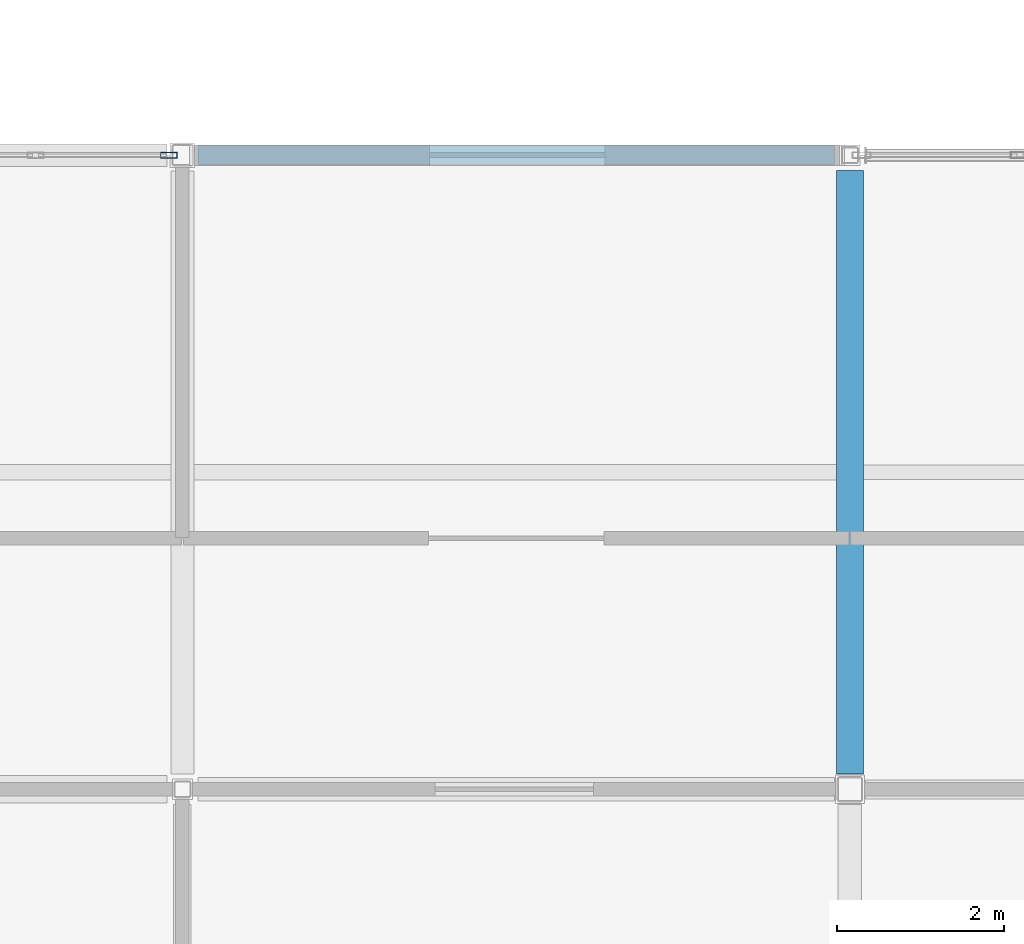
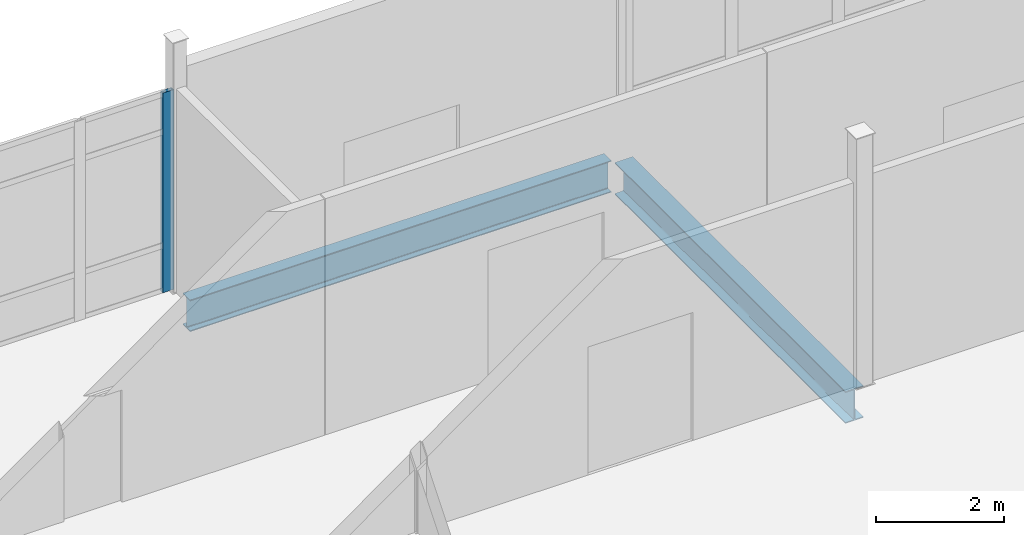
# One storey, part 64 of 186: 2 beams, 1 member, 1 element without a shape of its own.
"""IFC4 building model written with IfcOpenShell, lengths in metres."""

from ifc_helpers import new_model, si_unit, direction, frame, origin, origin_2d, place, context, subcontext, project, spatial, hollow_rectangle, i_section, extrude, material, layer, layer_set, material_profile, profile_set, type_object, element, aggregate, save


model = new_model("IFC4")

# Units and contexts
model_context = context("Model", 3, precision=1e-05, world=origin(), true_north=direction((0.0, 1.0)))
body_context = subcontext(model_context, "Body", "Model", "MODEL_VIEW")
ifc_project = project(units=[si_unit("LENGTHUNIT", "METRE"), si_unit("AREAUNIT", "SQUARE_METRE"), si_unit("VOLUMEUNIT", "CUBIC_METRE"), si_unit("PLANEANGLEUNIT", "RADIAN"), si_unit("MASSUNIT", "GRAM", prefix="KILO")], contexts=[model_context])

# Site, building, storey
site_placement = place(None, origin())
site = spatial("IfcSite", under=ifc_project, at=site_placement, CompositionType="ELEMENT")
building_placement = place(site_placement, origin())
building = spatial("IfcBuilding", under=site, at=building_placement, Name="Calvrana Isthmian Art Gallery", CompositionType="ELEMENT")
storey_placement = place(building_placement, frame((0.0, 0.0, 5.39990234375)))
storey = spatial("IfcBuildingStorey", under=building, at=storey_placement, Name="L01", CompositionType="ELEMENT", Elevation=5.39990234375)

# Beams
ifc_material_1 = material(Name="Steel ASTM A992 Gr 50", Category="steel")
ifc_material_profile_1 = material_profile(ifc_material_1, i_section(OverallWidth=0.324951171875, OverallDepth=0.612060546875, WebThickness=0.0126953125, FlangeThickness=0.01904296875, FilletRadius=0.02197265625, at=origin_2d()), Name="W24X104")
ifc_profile_set_1 = profile_set([ifc_material_profile_1], Name="Steel ASTM A992 Gr 50")
beam_type_1 = type_object("IfcBeamType", Name="BM-G-W24X104", PredefinedType="BEAM", material=ifc_profile_set_1)
beam_1_placement = place(storey_placement, frame((88.39990234375, 54.58154296875, -0.55078125), z_axis=(0.0, 1.0, 0.0), x_axis=(-1.0, 0.0, 0.0)))
element("IfcBeam", 1, at=beam_1_placement, inside=storey, type_object=beam_type_1, Name="Girder Y L01 12/H-I", PredefinedType="BEAM", context=body_context, shape_type="SweptSolid", body=[
    extrude(i_section(OverallWidth=0.324951171875, OverallDepth=0.612060546875, WebThickness=0.0126953125, FlangeThickness=0.01904296875, FilletRadius=0.02197265625, at=origin_2d()), origin(), (0.0, 0.0, 1.0), 7.234375),
])
ifc_material_profile_2 = material_profile(ifc_material_1, i_section(OverallWidth=0.22802734375, OverallDepth=0.60693359375, WebThickness=0.01123046875, FlangeThickness=0.017333984375, FilletRadius=0.02197265625, at=origin_2d()), Name="W24X76")
ifc_profile_set_2 = profile_set([ifc_material_profile_2], Name="Steel ASTM A992 Gr 50")
beam_type_2 = type_object("IfcBeamType", Name="BM-G-W24X76", PredefinedType="BEAM", material=ifc_profile_set_2)
beam_2_placement = place(storey_placement, frame((80.58642578125, 62.0, -0.54833984375), z_axis=(1.0, 0.0, 0.0), x_axis=(0.0, 1.0, 0.0)))
element("IfcBeam", 2, at=beam_2_placement, inside=storey, type_object=beam_type_2, Name="Girder X L01 11-12/I", PredefinedType="BEAM", context=body_context, shape_type="SweptSolid", body=[
    extrude(i_section(OverallWidth=0.22802734375, OverallDepth=0.60693359375, WebThickness=0.01123046875, FlangeThickness=0.017333984375, FilletRadius=0.02197265625, at=origin_2d()), origin(), (0.0, 0.0, 1.0), 7.626953125),
])

# Curtain wall, member
ifc_material_2 = material(Name="Anodized bronze aluminium 6063-T6", Category="aluminium")
ifc_layer = layer(ifc_material_2, 0.179931640625, Name="Anodized bronze aluminium 6063-T6")
ifc_layer_set = layer_set([ifc_layer], Name="Anodized bronze aluminium 6063-T6")
curtain_wall_type = type_object("IfcCurtainWallType", Name="CW-UNIT-082X38", PredefinedType="USERDEFINED", material=ifc_layer_set)
curtain_wall_placement = place(storey_placement, origin())
curtain_wall = element("IfcCurtainWall", 3, at=curtain_wall_placement, inside=storey, type_object=curtain_wall_type, Name="Curtain wall CW-105", ObjectType="UNITISED CURTAIN WALL", PredefinedType="USERDEFINED")
ifc_material_profile_3 = material_profile(ifc_material_2, hollow_rectangle(XDim=0.070068359375, YDim=0.199951171875, WallThickness=0.0048828125, at=origin_2d()), Name="CWM70X200")
ifc_profile_set_3 = profile_set([ifc_material_profile_3], Name="Anodized bronze aluminium 6063-T6")
member_type = type_object("IfcMemberType", Name="CWM-CWM70X200", PredefinedType="MULLION", material=ifc_profile_set_3)
member_placement = place(storey_placement, frame((80.238037109375, 62.0, 0.0), z_axis=(0.0, 0.0, 1.0), x_axis=(0.0, 1.0, 0.0)))
member = element("IfcMember", 4, at=member_placement, type_object=member_type, Name="CW-105 mullion 6", PredefinedType="MULLION", context=body_context, shape_type="SweptSolid", body=[
    extrude(hollow_rectangle(XDim=0.070068359375, YDim=0.199951171875, WallThickness=0.0048828125, at=origin_2d()), origin(), (0.0, 0.0, 1.0), 3.8271484375),
])
aggregate(curtain_wall, [member])

save(model, "model.ifc")
